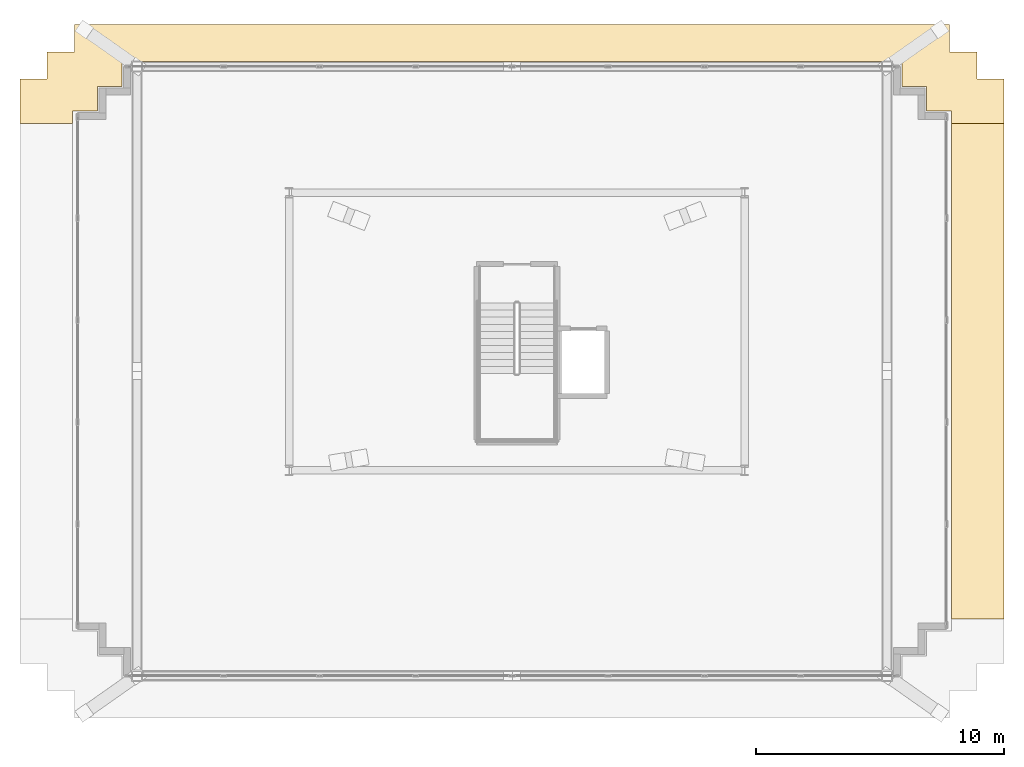
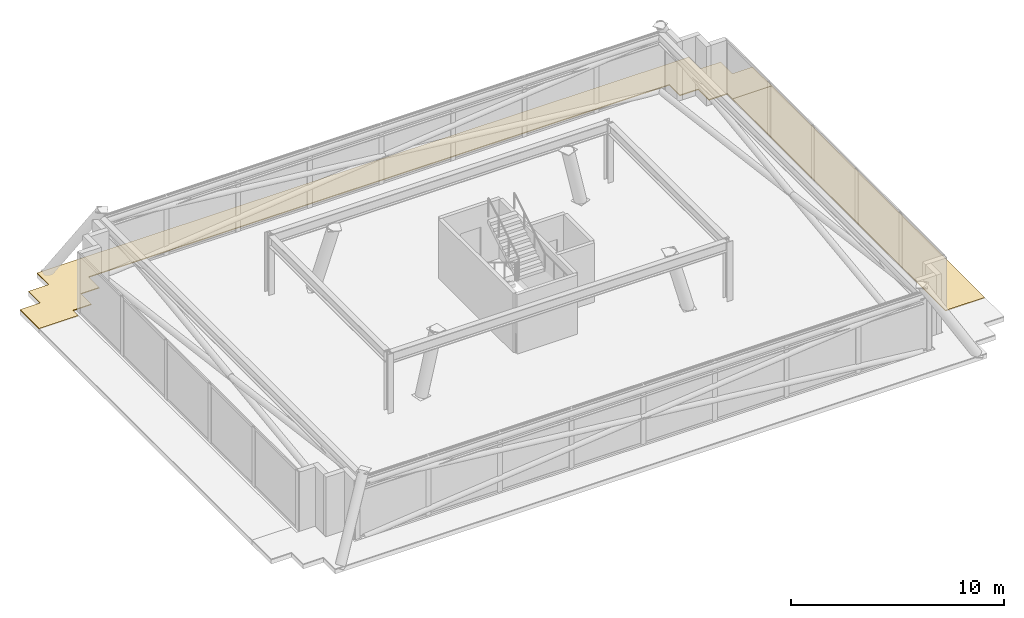
# One storey, part 18 of 18: 2 coverings.
"""IFC4 building model written with IfcOpenShell, lengths in metres."""

from ifc_helpers import new_model, si_unit, direction, frame, origin, place, context, subcontext, project, spatial, polyline, outline, extrude, material, layer, layer_set, type_object, element, save


model = new_model("IFC4")

# Units and contexts
model_context = context("Model", 3, precision=1e-05, world=origin(), true_north=direction((0.0, 1.0)))
body_context = subcontext(model_context, "Body", "Model", "MODEL_VIEW")
ifc_project = project(units=[si_unit("LENGTHUNIT", "METRE"), si_unit("AREAUNIT", "SQUARE_METRE"), si_unit("VOLUMEUNIT", "CUBIC_METRE"), si_unit("PLANEANGLEUNIT", "RADIAN"), si_unit("MASSUNIT", "GRAM", prefix="KILO")], contexts=[model_context])

# Site, building, storey
site_placement = place(None, origin())
site = spatial("IfcSite", under=ifc_project, at=site_placement, CompositionType="ELEMENT")
building_placement = place(site_placement, origin())
building = spatial("IfcBuilding", under=site, at=building_placement, Name="Qobustan Lattice House", CompositionType="ELEMENT")
storey_placement = place(building_placement, frame((0.0, 0.0, 277.800048828125)))
storey = spatial("IfcBuildingStorey", under=building, at=storey_placement, Name="L78", CompositionType="ELEMENT", Elevation=277.800048828125)

# Coverings
ifc_material = material(Name="Insulated stone-ballasted roof membrane", Category="masonry")
ifc_layer = layer(ifc_material, 0.050048828125)
ifc_layer_set = layer_set([ifc_layer], Name="Insulated stone-ballasted roof membrane")
covering_type = type_object("IfcCoveringType", Name="COV-ROOF-MEMB", PredefinedType="ROOFING", material=ifc_layer_set)
covering_1_placement = place(storey_placement, origin())
element("IfcCovering", 1, at=covering_1_placement, inside=storey, type_object=covering_type, Name="L78 crown step roof membrane 2", PredefinedType="ROOFING", context=body_context, shape_type="SweptSolid", body=[
    extrude(outline(polyline([(-20.073486328125, 8.403564453125), (-17.946533203125, 8.403564453125), (-17.946533203125, 8.903564453125), (-16.946533203125, 8.903564453125), (-16.946533203125, 9.903564453125), (-15.946533203125, 9.903564453125), (-15.946533203125, 10.903564453125), (15.54638671875, 10.903564453125), (15.54638671875, 9.903564453125), (16.54638671875, 9.903564453125), (16.54638671875, 8.903564453125), (17.54638671875, 8.903564453125), (17.54638671875, 8.403564453125), (19.673583984375, 8.403564453125), (19.673583984375, 10.201416015625), (18.573486328125, 10.201416015625), (18.573486328125, 11.301513671875), (17.473388671875, 11.301513671875), (17.473388671875, 12.401611328125), (-17.87353515625, 12.401611328125), (-17.87353515625, 11.301513671875), (-18.973388671875, 11.301513671875), (-18.973388671875, 10.201416015625), (-20.073486328125, 10.201416015625), (-20.073486328125, 8.403564453125)])), origin(), (0.0, 0.0, 1.0), 0.050048828125),
])
covering_2_placement = place(storey_placement, origin())
element("IfcCovering", 2, at=covering_2_placement, inside=storey, type_object=covering_type, Name="L78 crown step roof membrane 4", PredefinedType="ROOFING", context=body_context, shape_type="SweptSolid", body=[
    extrude(outline(polyline([(19.673583984375, 8.403564453125), (17.54638671875, 8.403564453125), (17.54638671875, -11.603515625), (19.673583984375, -11.603515625), (19.673583984375, 8.403564453125)])), origin(), (0.0, 0.0, 1.0), 0.050048828125),
])

save(model, "model.ifc")
